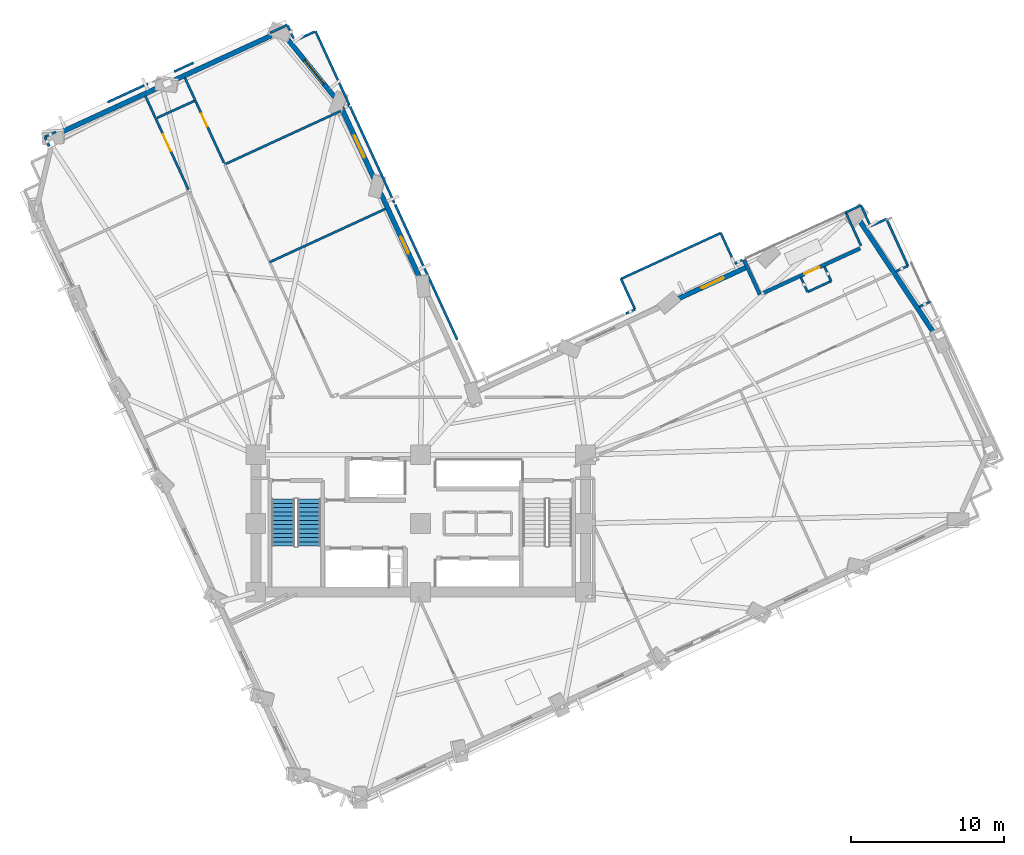
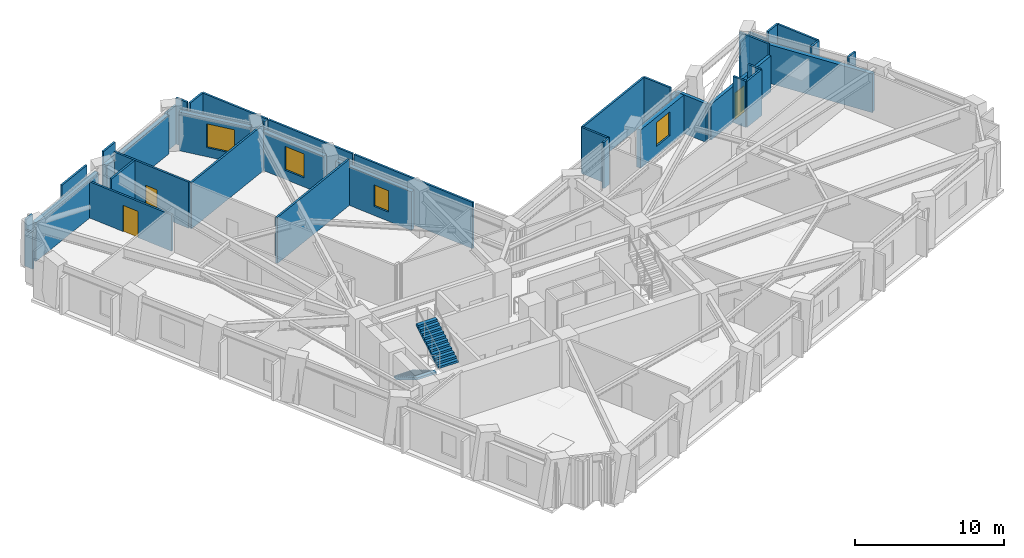
# One storey, part 10 of 16: 40 walls, 4 windows, 3 doors, 2 stair flights, 7 openings, 1 element without a shape of its own.
"""IFC4 building model written with IfcOpenShell, lengths in metres."""

from ifc_helpers import new_model, si_unit, direction, frame, frame_2d, origin, place, context, subcontext, project, spatial, polyline, rectangle, outline, extrude, material, layer, layer_set, type_object, element, fill, aggregate, save


model = new_model("IFC4")

# Units and contexts
model_context = context("Model", 3, precision=1e-05, world=origin(), true_north=direction((0.0, 1.0)))
body_context = subcontext(model_context, "Body", "Model", "MODEL_VIEW")
ifc_project = project(units=[si_unit("LENGTHUNIT", "METRE"), si_unit("AREAUNIT", "SQUARE_METRE"), si_unit("VOLUMEUNIT", "CUBIC_METRE"), si_unit("PLANEANGLEUNIT", "RADIAN"), si_unit("MASSUNIT", "GRAM", prefix="KILO")], contexts=[model_context])

# Site, building, storey
site_placement = place(None, origin())
site = spatial("IfcSite", under=ifc_project, at=site_placement, CompositionType="ELEMENT")
building_placement = place(site_placement, origin())
building = spatial("IfcBuilding", under=site, at=building_placement, Name="Gaonmaruhae Medical Tower", CompositionType="ELEMENT")
storey_placement = place(building_placement, frame((0.0, 0.0, 128.39990234375)))
storey = spatial("IfcBuildingStorey", under=building, at=storey_placement, Name="L30", CompositionType="ELEMENT", Elevation=128.39990234375)

# Wall, opening, door
ifc_material_1 = material(Name="Precast concrete C45/55", Category="concrete")
ifc_layer_1 = layer(ifc_material_1, 0.239990234375)
ifc_layer_set_1 = layer_set([ifc_layer_1], Name="Precast concrete C45/55")
wall_type_1 = type_object("IfcWallType", Name="EW-240 Ribbon & Shelter Insulated Precast Wall", PredefinedType="SOLIDWALL", material=ifc_layer_set_1)
wall_1_placement = place(storey_placement, frame((47.27880859375, 27.4150390625, 0.0), z_axis=(0.0, 0.0, 1.0), x_axis=(0.90849764427, 0.417889973983, 0.0)))
wall_1 = element("IfcWall", 1, at=wall_1_placement, inside=storey, type_object=wall_type_1, Name="L30 Recessed Terrace Enclosure Wall TERB", PredefinedType="SOLIDWALL", context=body_context, shape_type="SweptSolid", body=[
    extrude(rectangle(XDim=6.9599609375, YDim=0.239990234375, at=frame_2d((3.47998046875, 0.0))), origin(), (0.0, 0.0, 1.0), 2.945068359375),
])
opening_1_placement = place(wall_1_placement, frame((2.929931640625, 0.0, 0.0)))
opening_1 = element("IfcOpeningElement", 2, at=opening_1_placement, cuts=wall_1, Name="Opening TD-01", PredefinedType="OPENING", context=body_context, shape_type="SweptSolid", body=[
    extrude(rectangle(XDim=1.10009765625, YDim=2.14990234375, at=frame_2d((0.550048828125, 1.074951171875))), frame((0.0, 0.1298828125, 0.0), z_axis=(0.0, -1.0, 0.0), x_axis=(1.0, 0.0, 0.0)), (0.0, 0.0, 1.0), 0.260009765625),
])
ifc_material_2 = material(Name="Anodised aluminium and toughened safety glass", Category="aluminium")
door_type_1 = type_object("IfcDoorType", Name="TD-01 Terrace & Sky Garden Glazed Door 1100x2150", OperationType="NOTDEFINED", PredefinedType="DOOR", material=ifc_material_2)
door_1_placement = place(opening_1_placement, origin())
door_1 = element("IfcDoor", 3, at=door_1_placement, inside=storey, type_object=door_type_1, Name="L30 Outdoor Terrace Access Door SLB-L30-TER", OperationType="SINGLE_SWING_RIGHT", OverallHeight=2.14990234375, OverallWidth=1.10009765625, PredefinedType="DOOR", context=body_context, shape_type="SweptSolid", body=[
    extrude(rectangle(XDim=1.10009765625, YDim=2.14990234375, at=frame_2d((0.550048828125, 1.074951171875))), frame((0.0, 0.02490234375, 0.0), z_axis=(0.0, -1.0, 0.0), x_axis=(1.0, 0.0, 0.0)), (0.0, 0.0, 1.0), 0.050048828125),
])
fill(opening_1, door_1)

# Walls
wall_2_placement = place(storey_placement, frame((45.979736328125, 29.5693359375, 0.0), z_axis=(0.0, 0.0, 1.0), x_axis=(0.417874979305, -0.908504541359, 0.0)))
element("IfcWall", 4, at=wall_2_placement, inside=storey, type_object=wall_type_1, Name="L30 Recessed Terrace Enclosure Wall TERL", PredefinedType="SOLIDWALL", context=body_context, shape_type="SweptSolid", body=[
    extrude(rectangle(XDim=2.5, YDim=0.239990234375, at=frame_2d((1.25, 0.0))), origin(), (0.0, 0.0, 1.0), 3.1650390625),
])
ifc_layer_2 = layer(ifc_material_1, 0.320068359375)
ifc_layer_set_2 = layer_set([ifc_layer_2], Name="Precast concrete C45/55")
wall_type_2 = type_object("IfcWallType", Name="EW-320 Lower Precast Masonry-Frame Facade Wall", PredefinedType="SOLIDWALL", material=ifc_layer_set_2)
wall_3_placement = place(storey_placement, frame((53.557373046875, 32.14208984375, 0.0), z_axis=(0.0, 0.0, 1.0), x_axis=(0.551777055877, -0.833991654999, 0.0)))
element("IfcWall", 5, at=wall_3_placement, inside=storey, type_object=wall_type_2, Name="L30 Precast Masonry-Frame Wall E02-E03", PredefinedType="SOLIDWALL", context=body_context, shape_type="SweptSolid", body=[
    extrude(rectangle(XDim=8.837646484375, YDim=0.320068359375, at=frame_2d((4.4189453125, 0.0))), origin(), (0.0, 0.0, 1.0), 3.1650390625),
])

# Wall, opening, window
wall_4_placement = place(storey_placement, frame((41.525634765625, 26.95947265625, 0.0), z_axis=(0.0, 0.0, 1.0), x_axis=(0.908514361861, 0.417853627832, 0.0)))
wall_4 = element("IfcWall", 6, at=wall_4_placement, inside=storey, type_object=wall_type_2, Name="L30 Precast Masonry-Frame Wall EN01-EN02", PredefinedType="SOLIDWALL", context=body_context, shape_type="SweptSolid", body=[
    extrude(rectangle(XDim=5.116943359375, YDim=0.320068359375, at=frame_2d((2.55859375, 0.0))), origin(), (0.0, 0.0, 1.0), 3.14501953125),
])
opening_2_placement = place(wall_4_placement, frame((1.834716796875, 0.0, 0.75)))
opening_2 = element("IfcOpeningElement", 7, at=opening_2_placement, cuts=wall_4, Name="Opening WN-01", PredefinedType="OPENING", context=body_context, shape_type="SweptSolid", body=[
    extrude(rectangle(XDim=1.60009765625, YDim=1.949951171875, at=frame_2d((0.800048828125, 0.97509765625))), frame((0.0, 0.169921875, 0.0), z_axis=(0.0, -1.0, 0.0), x_axis=(1.0, 0.0, 0.0)), (0.0, 0.0, 1.0), 0.340087890625),
])
ifc_material_3 = material(Name="Anodised aluminium and Low-E double glazing", Category="aluminium")
window_type_1 = type_object("IfcWindowType", Name="WN-01 Ward Punched Acoustic Window 1600x1950", PartitioningType="SINGLE_PANEL", PredefinedType="WINDOW", material=ifc_material_3)
window_1_placement = place(opening_2_placement, origin())
window_1 = element("IfcWindow", 8, at=window_1_placement, inside=storey, type_object=window_type_1, Name="L30 Modular Facade Window EN01", OverallHeight=1.949951171875, OverallWidth=1.60009765625, PartitioningType="SINGLE_PANEL", PredefinedType="WINDOW", context=body_context, shape_type="SweptSolid", body=[
    extrude(rectangle(XDim=1.60009765625, YDim=1.949951171875, at=frame_2d((0.800048828125, 0.97509765625))), frame((0.0, 0.030029296875, 0.0), z_axis=(0.0, -1.0, 0.0), x_axis=(1.0, 0.0, 0.0)), (0.0, 0.0, 1.0), 0.06005859375),
])
fill(opening_2, window_1)

wall_5_placement = place(storey_placement, frame((22.19140625, 33.929443359375, 0.0), z_axis=(0.0, 0.0, 1.0), x_axis=(0.417833720383, -0.908523517643, 0.0)))
wall_5 = element("IfcWall", 9, at=wall_5_placement, inside=storey, type_object=wall_type_2, Name="L30 Precast Masonry-Frame Wall NE01-NE02", PredefinedType="SOLIDWALL", context=body_context, shape_type="SweptSolid", body=[
    extrude(rectangle(XDim=6.222900390625, YDim=0.320068359375, at=frame_2d((3.111328125, 0.0))), origin(), (0.0, 0.0, 1.0), 3.1650390625),
])
opening_3_placement = place(wall_5_placement, frame((3.141357421875, 0.0, 0.75)))
opening_3 = element("IfcOpeningElement", 10, at=opening_3_placement, cuts=wall_5, Name="Opening WN-05", PredefinedType="OPENING", context=body_context, shape_type="SweptSolid", body=[
    extrude(rectangle(XDim=1.199951171875, YDim=1.75, at=frame_2d((0.60009765625, 0.875))), frame((0.0, 0.169921875, 0.0), z_axis=(0.0, -1.0, 0.0), x_axis=(1.0, 0.0, 0.0)), (0.0, 0.0, 1.0), 0.340087890625),
])
window_type_2 = type_object("IfcWindowType", Name="WN-05 Support & Staff Punched Window 1200x1750", PartitioningType="SINGLE_PANEL", PredefinedType="WINDOW", material=ifc_material_3)
window_2_placement = place(opening_3_placement, origin())
window_2 = element("IfcWindow", 11, at=window_2_placement, inside=storey, type_object=window_type_2, Name="L30 Modular Facade Window NE01", OverallHeight=1.75, OverallWidth=1.199951171875, PartitioningType="SINGLE_PANEL", PredefinedType="WINDOW", context=body_context, shape_type="SweptSolid", body=[
    extrude(rectangle(XDim=1.199951171875, YDim=1.75, at=frame_2d((0.60009765625, 0.875))), frame((0.0, 0.030029296875, 0.0), z_axis=(0.0, -1.0, 0.0), x_axis=(1.0, 0.0, 0.0)), (0.0, 0.0, 1.0), 0.06005859375),
])
fill(opening_3, window_2)

wall_6_placement = place(storey_placement, frame((19.67822265625, 39.39306640625, 0.0), z_axis=(0.0, 0.0, 1.0), x_axis=(0.417876863303, -0.908503674795, 0.0)))
wall_6 = element("IfcWall", 12, at=wall_6_placement, inside=storey, type_object=wall_type_2, Name="L30 Precast Masonry-Frame Wall NE02-NE03", PredefinedType="SOLIDWALL", context=body_context, shape_type="SweptSolid", body=[
    extrude(rectangle(XDim=5.04736328125, YDim=0.320068359375, at=frame_2d((2.523681640625, 0.0))), origin(), (0.0, 0.0, 1.0), 3.1650390625),
])
opening_4_placement = place(wall_6_placement, frame((1.8330078125, 0.0, 0.75)))
opening_4 = element("IfcOpeningElement", 13, at=opening_4_placement, cuts=wall_6, Name="Opening WN-01", PredefinedType="OPENING", context=body_context, shape_type="SweptSolid", body=[
    extrude(rectangle(XDim=1.60009765625, YDim=1.949951171875, at=frame_2d((0.800048828125, 0.97509765625))), frame((0.0, 0.169921875, 0.0), z_axis=(0.0, -1.0, 0.0), x_axis=(1.0, 0.0, 0.0)), (0.0, 0.0, 1.0), 0.340087890625),
])
window_3_placement = place(opening_4_placement, origin())
window_3 = element("IfcWindow", 14, at=window_3_placement, inside=storey, type_object=window_type_1, Name="L30 Modular Facade Window NE02", OverallHeight=1.949951171875, OverallWidth=1.60009765625, PartitioningType="SINGLE_PANEL", PredefinedType="WINDOW", context=body_context, shape_type="SweptSolid", body=[
    extrude(rectangle(XDim=1.60009765625, YDim=1.949951171875, at=frame_2d((0.800048828125, 0.97509765625))), frame((0.0, 0.030029296875, 0.0), z_axis=(0.0, -1.0, 0.0), x_axis=(1.0, 0.0, 0.0)), (0.0, 0.0, 1.0), 0.06005859375),
])
fill(opening_4, window_3)

wall_7_placement = place(storey_placement, frame((15.94091796875, 44.201904296875, 0.0), z_axis=(0.0, 0.0, 1.0), x_axis=(0.63040801919, -0.776263955972, 0.0)))
wall_7 = element("IfcWall", 15, at=wall_7_placement, inside=storey, type_object=wall_type_2, Name="L30 Precast Masonry-Frame Wall NE03-N01", PredefinedType="SOLIDWALL", context=body_context, shape_type="SweptSolid", body=[
    extrude(rectangle(XDim=5.128662109375, YDim=0.320068359375, at=frame_2d((2.564453125, 0.0))), origin(), (0.0, 0.0, 1.0), 3.1650390625),
])
opening_5_placement = place(wall_7_placement, frame((1.993408203125, 0.0, 0.75)))
opening_5 = element("IfcOpeningElement", 16, at=opening_5_placement, cuts=wall_7, Name="Opening WN-02", PredefinedType="OPENING", context=body_context, shape_type="SweptSolid", body=[
    extrude(rectangle(XDim=2.0, YDim=1.949951171875, at=frame_2d((1.0, 0.97509765625))), frame((0.0, 0.169921875, 0.0), z_axis=(0.0, -1.0, 0.0), x_axis=(1.0, 0.0, 0.0)), (0.0, 0.0, 1.0), 0.340087890625),
])
window_type_3 = type_object("IfcWindowType", Name="WN-02 Double-Bed Ward Punched Window 2000x1950", PartitioningType="SINGLE_PANEL", PredefinedType="WINDOW", material=ifc_material_3)
window_4_placement = place(opening_5_placement, origin())
window_4 = element("IfcWindow", 17, at=window_4_placement, inside=storey, type_object=window_type_3, Name="L30 Modular Facade Window NE03", OverallHeight=1.949951171875, OverallWidth=2.0, PartitioningType="SINGLE_PANEL", PredefinedType="WINDOW", context=body_context, shape_type="SweptSolid", body=[
    extrude(rectangle(XDim=2.0, YDim=1.949951171875, at=frame_2d((1.0, 0.97509765625))), frame((0.0, 0.030029296875, 0.0), z_axis=(0.0, -1.0, 0.0), x_axis=(1.0, 0.0, 0.0)), (0.0, 0.0, 1.0), 0.06005859375),
])
fill(opening_5, window_4)

# Walls
wall_8_placement = place(storey_placement, frame((8.44482421875, 41.242919921875, 0.0), z_axis=(0.0, 0.0, 1.0), x_axis=(0.908511987078, 0.417858791143, 0.0)))
element("IfcWall", 18, at=wall_8_placement, inside=storey, type_object=wall_type_2, Name="L30 Precast Masonry-Frame Wall N01-N02", PredefinedType="SOLIDWALL", context=body_context, shape_type="SweptSolid", body=[
    extrude(rectangle(XDim=7.23095703125, YDim=0.320068359375, at=frame_2d((3.615478515625, 0.0))), origin(), (0.0, 0.0, 1.0), 3.1650390625),
])
wall_9_placement = place(storey_placement, frame((0.972900390625, 37.80615234375, 0.0), z_axis=(0.0, 0.0, 1.0), x_axis=(0.908513910625, 0.417854608927, 0.0)))
element("IfcWall", 19, at=wall_9_placement, inside=storey, type_object=wall_type_2, Name="L30 Precast Masonry-Frame Wall N02-N03", PredefinedType="SOLIDWALL", context=body_context, shape_type="SweptSolid", body=[
    extrude(rectangle(XDim=7.27001953125, YDim=0.320068359375, at=frame_2d((3.635009765625, 0.0))), origin(), (0.0, 0.0, 1.0), 3.1650390625),
])
ifc_material_4 = material(Name="Gypsum board partition", Category="gypsum")
ifc_layer_3 = layer(ifc_material_4, 0.14990234375)
ifc_layer_set_3 = layer_set([ifc_layer_3], Name="Gypsum board partition")
wall_type_3 = type_object("IfcWallType", Name="PW-150 Rated Clinical Corridor Partition", PredefinedType="PARTITIONING", material=ifc_layer_set_3)
wall_10_placement = place(storey_placement, frame((0.462890625, 37.01904296875, 0.0), z_axis=(0.0, 0.0, 1.0), x_axis=(-0.418481684179, 0.908225236385, 0.0)))
element("IfcWall", 20, at=wall_10_placement, inside=storey, type_object=wall_type_3, Name="L30 Interior Partition L30-WOF07-52", PredefinedType="PARTITIONING", context=body_context, shape_type="SweptSolid", body=[
    extrude(rectangle(XDim=0.67138671875, YDim=0.14990234375, at=frame_2d((0.335693359375, 0.0))), origin(), (0.0, 0.0, 1.0), 2.965087890625),
])
wall_11_placement = place(storey_placement, frame((0.181884765625, 37.62890625, 0.0), z_axis=(0.0, 0.0, 1.0), x_axis=(0.908607354341, 0.417651380504, 0.0)))
element("IfcWall", 21, at=wall_11_placement, inside=storey, type_object=wall_type_3, Name="L30 Interior Partition L30-WOF07-53", PredefinedType="PARTITIONING", context=body_context, shape_type="SweptSolid", body=[
    extrude(rectangle(XDim=0.792724609375, YDim=0.14990234375, at=frame_2d((0.396484375, 0.0))), origin(), (0.0, 0.0, 1.0), 3.780029296875),
])

# Wall, opening, door
wall_12_placement = place(storey_placement, frame((6.759033203125, 40.319091796875, 0.0), z_axis=(0.0, 0.0, 1.0), x_axis=(0.417891290431, -0.908497038731, 0.0)))
wall_12 = element("IfcWall", 22, at=wall_12_placement, inside=storey, type_object=wall_type_3, Name="L30 Interior Partition L30-WOF07-54", PredefinedType="PARTITIONING", context=body_context, shape_type="SweptSolid", body=[
    extrude(rectangle(XDim=6.75537109375, YDim=0.14990234375, at=frame_2d((3.377685546875, 0.0))), origin(), (0.0, 0.0, 1.0), 2.965087890625),
])
opening_6_placement = place(wall_12_placement, frame((2.777587890625, 0.0, 0.0)))
opening_6 = element("IfcOpeningElement", 23, at=opening_6_placement, cuts=wall_12, Name="Opening CD-02", PredefinedType="OPENING", context=body_context, shape_type="SweptSolid", body=[
    extrude(rectangle(XDim=1.199951171875, YDim=2.14990234375, at=frame_2d((0.60009765625, 1.074951171875))), frame((0.0, 0.0849609375, 0.0), z_axis=(0.0, -1.0, 0.0), x_axis=(1.0, 0.0, 0.0)), (0.0, 0.0, 1.0), 0.169921875),
])
ifc_material_5 = material(Name="Antimicrobial laminate timber fire door", Category="wood")
door_type_2 = type_object("IfcDoorType", Name="CD-02 Clinical Treatment & Procedure Door 1200x2150", OperationType="NOTDEFINED", PredefinedType="DOOR", material=ifc_material_5)
door_2_placement = place(opening_6_placement, origin())
door_2 = element("IfcDoor", 24, at=door_2_placement, inside=storey, type_object=door_type_2, Name="L30 Ward Physician Reporting Office Door", OperationType="SINGLE_SWING_RIGHT", OverallHeight=2.14990234375, OverallWidth=1.199951171875, PredefinedType="DOOR", context=body_context, shape_type="SweptSolid", body=[
    extrude(rectangle(XDim=1.199951171875, YDim=2.14990234375, at=frame_2d((0.60009765625, 1.074951171875))), frame((0.0, 0.02490234375, 0.0), z_axis=(0.0, -1.0, 0.0), x_axis=(1.0, 0.0, 0.0)), (0.0, 0.0, 1.0), 0.050048828125),
])
fill(opening_6, door_2)

# Walls
wall_13_placement = place(storey_placement, frame((44.4619140625, 31.3369140625, 0.0), z_axis=(0.0, 0.0, 1.0), x_axis=(0.417770061302, -0.908552792016, 0.0)))
element("IfcWall", 25, at=wall_13_placement, inside=storey, type_object=wall_type_3, Name="L30 Interior Partition L30-IE02-67", PredefinedType="PARTITIONING", context=body_context, shape_type="SweptSolid", body=[
    extrude(rectangle(XDim=2.2001953125, YDim=0.14990234375, at=frame_2d((1.10009765625, 0.0))), origin(), (0.0, 0.0, 1.0), 3.780029296875),
])
wall_14_placement = place(storey_placement, frame((45.381103515625, 29.337890625, 0.0), z_axis=(0.0, 0.0, 1.0), x_axis=(0.908229655167, 0.418472094023, 0.0)))
element("IfcWall", 26, at=wall_14_placement, inside=storey, type_object=wall_type_3, Name="L30 Interior Partition L30-IE02-68", PredefinedType="PARTITIONING", context=body_context, shape_type="SweptSolid", body=[
    extrude(rectangle(XDim=0.554931640625, YDim=0.14990234375, at=frame_2d((0.27734375, 0.0))), origin(), (0.0, 0.0, 1.0), 3.14501953125),
])
wall_15_placement = place(storey_placement, frame((49.7080078125, 28.427978515625, 0.0), z_axis=(0.0, 0.0, 1.0), x_axis=(0.417737601107, -0.908567717136, 0.0)))
element("IfcWall", 27, at=wall_15_placement, inside=storey, type_object=wall_type_3, Name="L30 Interior Partition L30-IE02-69", PredefinedType="PARTITIONING", context=body_context, shape_type="SweptSolid", body=[
    extrude(rectangle(XDim=1.055419921875, YDim=0.14990234375, at=frame_2d((0.52783203125, 0.0))), origin(), (0.0, 0.0, 1.0), 3.780029296875),
])
wall_16_placement = place(storey_placement, frame((50.14892578125, 27.468994140625, 0.0), z_axis=(0.0, 0.0, 1.0), x_axis=(0.908354092622, 0.418201915845, 0.0)))
element("IfcWall", 28, at=wall_16_placement, inside=storey, type_object=wall_type_3, Name="L30 Interior Partition L30-IE02-70", PredefinedType="PARTITIONING", context=body_context, shape_type="SweptSolid", body=[
    extrude(rectangle(XDim=1.699951171875, YDim=0.14990234375, at=frame_2d((0.85009765625, 0.0))), origin(), (0.0, 0.0, 1.0), 3.780029296875),
])
wall_17_placement = place(storey_placement, frame((51.693115234375, 28.179931640625, 0.0), z_axis=(0.0, 0.0, 1.0), x_axis=(-0.418280033039, 0.908318123766, 0.0)))
element("IfcWall", 29, at=wall_17_placement, inside=storey, type_object=wall_type_3, Name="L30 Interior Partition L30-IE02-71", PredefinedType="PARTITIONING", context=body_context, shape_type="SweptSolid", body=[
    extrude(rectangle(XDim=1.0546875, YDim=0.14990234375, at=frame_2d((0.52734375, 0.0))), origin(), (0.0, 0.0, 1.0), 3.780029296875),
])
wall_18_placement = place(storey_placement, frame((53.652099609375, 30.5009765625, 0.0), z_axis=(0.0, 0.0, 1.0), x_axis=(-0.417709073664, 0.908580832826, 0.0)))
element("IfcWall", 30, at=wall_18_placement, inside=storey, type_object=wall_type_3, Name="L30 Interior Partition L30-IE02-72", PredefinedType="PARTITIONING", context=body_context, shape_type="SweptSolid", body=[
    extrude(rectangle(XDim=2.399169921875, YDim=0.14990234375, at=frame_2d((1.19970703125, 0.0))), origin(), (0.0, 0.0, 1.0), 3.780029296875),
])
wall_19_placement = place(storey_placement, frame((52.64990234375, 32.680908203125, 0.0), z_axis=(0.0, 0.0, 1.0), x_axis=(0.908264475231, 0.418396514127, 0.0)))
element("IfcWall", 31, at=wall_19_placement, inside=storey, type_object=wall_type_3, Name="L30 Interior Partition L30-IE02-73", PredefinedType="PARTITIONING", context=body_context, shape_type="SweptSolid", body=[
    extrude(rectangle(XDim=1.099853515625, YDim=0.14990234375, at=frame_2d((0.5498046875, 0.0))), origin(), (0.0, 0.0, 1.0), 2.945068359375),
])
wall_20_placement = place(storey_placement, frame((53.64892578125, 33.14111328125, 0.0), z_axis=(0.0, 0.0, 1.0), x_axis=(0.417881432816, -0.90850157298, 0.0)))
element("IfcWall", 32, at=wall_20_placement, inside=storey, type_object=wall_type_3, Name="L30 Interior Partition L30-IE02-74", PredefinedType="PARTITIONING", context=body_context, shape_type="SweptSolid", body=[
    extrude(rectangle(XDim=1.500244140625, YDim=0.14990234375, at=frame_2d((0.75, 0.0))), origin(), (0.0, 0.0, 1.0), 3.1650390625),
])
wall_21_placement = place(storey_placement, frame((54.27587890625, 31.778076171875, 0.0), z_axis=(0.0, 0.0, 1.0), x_axis=(0.908278877816, 0.418365247258, 0.0)))
element("IfcWall", 33, at=wall_21_placement, inside=storey, type_object=wall_type_3, Name="L30 Interior Partition L30-IE02-75", PredefinedType="PARTITIONING", context=body_context, shape_type="SweptSolid", body=[
    extrude(rectangle(XDim=1.1396484375, YDim=0.14990234375, at=frame_2d((0.56982421875, 0.0))), origin(), (0.0, 0.0, 1.0), 3.780029296875),
])
wall_22_placement = place(storey_placement, frame((55.31103515625, 32.2548828125, 0.0), z_axis=(0.0, 0.0, 1.0), x_axis=(0.41797098824, -0.908460375025, 0.0)))
element("IfcWall", 34, at=wall_22_placement, inside=storey, type_object=wall_type_3, Name="L30 Interior Partition L30-IE02-76", PredefinedType="PARTITIONING", context=body_context, shape_type="SweptSolid", body=[
    extrude(rectangle(XDim=3.39013671875, YDim=0.14990234375, at=frame_2d((1.695068359375, 0.0))), origin(), (0.0, 0.0, 1.0), 3.780029296875),
])
wall_23_placement = place(storey_placement, frame((56.72802734375, 29.175048828125, 0.0), z_axis=(0.0, 0.0, 1.0), x_axis=(-0.908395940536, -0.418111008247, 0.0)))
element("IfcWall", 35, at=wall_23_placement, inside=storey, type_object=wall_type_3, Name="L30 Interior Partition L30-IE02-77", PredefinedType="PARTITIONING", context=body_context, shape_type="SweptSolid", body=[
    extrude(rectangle(XDim=0.8828125, YDim=0.14990234375, at=frame_2d((0.44140625, 0.0))), origin(), (0.0, 0.0, 1.0), 3.780029296875),
])
wall_24_placement = place(storey_placement, frame((38.243896484375, 26.055908203125, 0.0), z_axis=(0.0, 0.0, 1.0), x_axis=(0.908535648033, 0.417807343465, 0.0)))
element("IfcWall", 36, at=wall_24_placement, inside=storey, type_object=wall_type_3, Name="L30 Interior Partition L30-IE02-79", PredefinedType="PARTITIONING", context=body_context, shape_type="SweptSolid", body=[
    extrude(rectangle(XDim=0.65625, YDim=0.14990234375, at=frame_2d((0.328125, 0.0))), origin(), (0.0, 0.0, 1.0), 3.780029296875),
])
wall_25_placement = place(storey_placement, frame((38.840087890625, 26.330078125, 0.0), z_axis=(0.0, 0.0, 1.0), x_axis=(-0.417980742424, 0.908455887186, 0.0)))
element("IfcWall", 37, at=wall_25_placement, inside=storey, type_object=wall_type_3, Name="L30 Interior Partition L30-IE02-80", PredefinedType="PARTITIONING", context=body_context, shape_type="SweptSolid", body=[
    extrude(rectangle(XDim=2.19921875, YDim=0.14990234375, at=frame_2d((1.099609375, 0.0))), origin(), (0.0, 0.0, 1.0), 3.780029296875),
])
wall_26_placement = place(storey_placement, frame((37.9208984375, 28.327880859375, 0.0), z_axis=(0.0, 0.0, 1.0), x_axis=(0.908481698238, 0.4179246391, 0.0)))
element("IfcWall", 38, at=wall_26_placement, inside=storey, type_object=wall_type_3, Name="L30 Interior Partition L30-IE02-81", PredefinedType="PARTITIONING", context=body_context, shape_type="SweptSolid", body=[
    extrude(rectangle(XDim=7.199951171875, YDim=0.14990234375, at=frame_2d((3.60009765625, 0.0))), origin(), (0.0, 0.0, 1.0), 3.780029296875),
])
wall_27_placement = place(storey_placement, frame((14.907958984375, 29.422119140625, 0.0), z_axis=(0.0, 0.0, 1.0), x_axis=(0.908499316562, 0.417886338383, 0.0)))
element("IfcWall", 39, at=wall_27_placement, inside=storey, type_object=wall_type_3, Name="L30 Interior Partition L30-IN01-84", PredefinedType="PARTITIONING", context=body_context, shape_type="SweptSolid", body=[
    extrude(rectangle(XDim=8.365478515625, YDim=0.14990234375, at=frame_2d((4.1826171875, 0.0))), origin(), (0.0, 0.0, 1.0), 3.780029296875),
])
wall_28_placement = place(storey_placement, frame((23.1298828125, 33.2041015625, 0.0), z_axis=(0.0, 0.0, 1.0), x_axis=(0.417943219407, -0.908473150595, 0.0)))
element("IfcWall", 40, at=wall_28_placement, inside=storey, type_object=wall_type_3, Name="L30 Interior Partition L30-IN01-85", PredefinedType="PARTITIONING", context=body_context, shape_type="SweptSolid", body=[
    extrude(rectangle(XDim=9.75048828125, YDim=0.14990234375, at=frame_2d((4.875244140625, 0.0))), origin(), (0.0, 0.0, 1.0), 3.780029296875),
])
wall_29_placement = place(storey_placement, frame((11.9619140625, 35.826904296875, 0.0), z_axis=(0.0, 0.0, 1.0), x_axis=(0.908488236671, 0.417910425606, 0.0)))
element("IfcWall", 41, at=wall_29_placement, inside=storey, type_object=wall_type_3, Name="L30 Interior Partition L30-IN02-87", PredefinedType="PARTITIONING", context=body_context, shape_type="SweptSolid", body=[
    extrude(rectangle(XDim=8.36572265625, YDim=0.14990234375, at=frame_2d((4.182861328125, 0.0))), origin(), (0.0, 0.0, 1.0), 3.780029296875),
])
wall_30_placement = place(storey_placement, frame((20.18408203125, 39.60888671875, 0.0), z_axis=(0.0, 0.0, 1.0), x_axis=(0.417891651322, -0.908496872727, 0.0)))
element("IfcWall", 42, at=wall_30_placement, inside=storey, type_object=wall_type_3, Name="L30 Interior Partition L30-IN02-88", PredefinedType="PARTITIONING", context=body_context, shape_type="SweptSolid", body=[
    extrude(rectangle(XDim=6.929931640625, YDim=0.14990234375, at=frame_2d((3.46484375, 0.0))), origin(), (0.0, 0.0, 1.0), 3.780029296875),
])
wall_31_placement = place(storey_placement, frame((17.910888671875, 44.551025390625, 0.0), z_axis=(0.0, 0.0, 1.0), x_axis=(0.417899547771, -0.908493240466, 0.0)))
element("IfcWall", 43, at=wall_31_placement, inside=storey, type_object=wall_type_3, Name="L30 Interior Partition L30-IN03-89", PredefinedType="PARTITIONING", context=body_context, shape_type="SweptSolid", body=[
    extrude(rectangle(XDim=5.31982421875, YDim=0.14990234375, at=frame_2d((2.659912109375, 0.0))), origin(), (0.0, 0.0, 1.0), 3.780029296875),
])
wall_32_placement = place(storey_placement, frame((20.089111328125, 39.697021484375, 0.0), z_axis=(0.0, 0.0, 1.0), x_axis=(-0.908869760295, -0.417080038867, 0.0)))
element("IfcWall", 44, at=wall_32_placement, inside=storey, type_object=wall_type_3, Name="L30 Interior Partition L30-IN03-90", PredefinedType="PARTITIONING", context=body_context, shape_type="SweptSolid", body=[
    extrude(rectangle(XDim=0.4150390625, YDim=0.14990234375, at=frame_2d((0.20751953125, 0.0))), origin(), (0.0, 0.0, 1.0), 3.780029296875),
])

# Wall, opening, door
wall_33_placement = place(storey_placement, frame((11.912109375, 35.93603515625, 0.0), z_axis=(0.0, 0.0, 1.0), x_axis=(-0.417765684328, 0.90855480462, 0.0)))
wall_33 = element("IfcWall", 45, at=wall_33_placement, inside=storey, type_object=wall_type_3, Name="L30 Interior Partition L30-IN03-91", PredefinedType="PARTITIONING", context=body_context, shape_type="SweptSolid", body=[
    extrude(rectangle(XDim=6.135009765625, YDim=0.14990234375, at=frame_2d((3.0673828125, 0.0))), origin(), (0.0, 0.0, 1.0), 3.780029296875),
])
opening_7_placement = place(wall_33_placement, frame((2.607421875, 0.0, 0.0)))
opening_7 = element("IfcOpeningElement", 46, at=opening_7_placement, cuts=wall_33, Name="Opening UD-01", PredefinedType="OPENING", context=body_context, shape_type="SweptSolid", body=[
    extrude(rectangle(XDim=0.919921875, YDim=2.10009765625, at=frame_2d((0.4599609375, 1.050048828125))), frame((0.0, 0.0849609375, 0.0), z_axis=(0.0, -1.0, 0.0), x_axis=(1.0, 0.0, 0.0)), (0.0, 0.0, 1.0), 0.169921875),
])
ifc_material_6 = material(Name="Powder-coated steel utility door", Category="steel")
door_type_3 = type_object("IfcDoorType", Name="UD-01 Toilet, Utility & Housekeeping Door 920x2100", OperationType="NOTDEFINED", PredefinedType="DOOR", material=ifc_material_6)
door_3_placement = place(opening_7_placement, origin())
door_3 = element("IfcDoor", 47, at=door_3_placement, inside=storey, type_object=door_type_3, Name="L30 Public Visitor Toilet Door", OperationType="SINGLE_SWING_LEFT", OverallHeight=2.10009765625, OverallWidth=0.919921875, PredefinedType="DOOR", context=body_context, shape_type="SweptSolid", body=[
    extrude(rectangle(XDim=0.919921875, YDim=2.10009765625, at=frame_2d((0.4599609375, 1.050048828125))), frame((0.0, 0.02490234375, 0.0), z_axis=(0.0, -1.0, 0.0), x_axis=(1.0, 0.0, 0.0)), (0.0, 0.0, 1.0), 0.050048828125),
])
fill(opening_7, door_3)

# Walls
wall_34_placement = place(storey_placement, frame((14.93505859375, 44.43701171875, 0.0), z_axis=(0.0, 0.0, 1.0), x_axis=(0.908506746568, 0.417870184915, 0.0)))
element("IfcWall", 48, at=wall_34_placement, inside=storey, type_object=wall_type_3, Name="L30 Interior Partition L30-IN03-92", PredefinedType="PARTITIONING", context=body_context, shape_type="SweptSolid", body=[
    extrude(rectangle(XDim=1.25146484375, YDim=0.14990234375, at=frame_2d((0.625732421875, 0.0))), origin(), (0.0, 0.0, 1.0), 3.1650390625),
])
wall_35_placement = place(storey_placement, frame((16.093017578125, 44.9150390625, 0.0), z_axis=(0.0, 0.0, 1.0), x_axis=(0.416838598476, -0.908980518394, 0.0)))
element("IfcWall", 49, at=wall_35_placement, inside=storey, type_object=wall_type_3, Name="L30 Interior Partition L30-IN03-93", PredefinedType="PARTITIONING", context=body_context, shape_type="SweptSolid", body=[
    extrude(rectangle(XDim=0.914306640625, YDim=0.14990234375, at=frame_2d((0.45703125, 0.0))), origin(), (0.0, 0.0, 1.0), 3.780029296875),
])
wall_36_placement = place(storey_placement, frame((16.548095703125, 43.924072265625, 0.0), z_axis=(0.0, 0.0, 1.0), x_axis=(0.908559455179, 0.417755570166, 0.0)))
element("IfcWall", 50, at=wall_36_placement, inside=storey, type_object=wall_type_3, Name="L30 Interior Partition L30-IN03-94", PredefinedType="PARTITIONING", context=body_context, shape_type="SweptSolid", body=[
    extrude(rectangle(XDim=1.450439453125, YDim=0.14990234375, at=frame_2d((0.72509765625, 0.0))), origin(), (0.0, 0.0, 1.0), 3.780029296875),
])
wall_37_placement = place(storey_placement, frame((9.968994140625, 39.98095703125, 0.0), z_axis=(0.0, 0.0, 1.0), x_axis=(-0.910553896639, -0.413390374, 0.0)))
element("IfcWall", 51, at=wall_37_placement, inside=storey, type_object=wall_type_3, Name="L30 Interior Partition L30-RM01-95", PredefinedType="PARTITIONING", context=body_context, shape_type="SweptSolid", body=[
    extrude(rectangle(XDim=2.67529296875, YDim=0.14990234375, at=frame_2d((1.337646484375, 0.0))), origin(), (0.0, 0.0, 1.0), 3.780029296875),
])
wall_38_placement = place(storey_placement, frame((4.287109375, 39.903076171875, 0.0), z_axis=(0.0, 0.0, 1.0), x_axis=(0.908474520638, 0.417940241365, 0.0)))
element("IfcWall", 52, at=wall_38_placement, inside=storey, type_object=wall_type_3, Name="L30 Interior Partition L30-RM01-96", PredefinedType="PARTITIONING", context=body_context, shape_type="SweptSolid", body=[
    extrude(rectangle(XDim=2.9091796875, YDim=0.14990234375, at=frame_2d((1.45458984375, 0.0))), origin(), (0.0, 0.0, 1.0), 3.780029296875),
])
wall_39_placement = place(storey_placement, frame((8.656982421875, 41.9130859375, 0.0), z_axis=(0.0, 0.0, 1.0), x_axis=(0.908729447194, 0.417385663149, 0.0)))
element("IfcWall", 53, at=wall_39_placement, inside=storey, type_object=wall_type_3, Name="L30 Interior Partition L30-RM01-97", PredefinedType="PARTITIONING", context=body_context, shape_type="SweptSolid", body=[
    extrude(rectangle(XDim=1.3798828125, YDim=0.14990234375, at=frame_2d((0.68994140625, 0.0))), origin(), (0.0, 0.0, 1.0), 3.780029296875),
])
wall_40_placement = place(storey_placement, frame((57.4560546875, 26.493896484375, 0.0), z_axis=(0.0, 0.0, 1.0), x_axis=(0.908560629295, 0.41775301662, 0.0)))
element("IfcWall", 54, at=wall_40_placement, inside=storey, type_object=wall_type_3, Name="L30 Interior Partition L30-RM02-100", PredefinedType="PARTITIONING", context=body_context, shape_type="SweptSolid", body=[
    extrude(rectangle(XDim=0.81884765625, YDim=0.14990234375, at=frame_2d((0.409423828125, 0.0))), origin(), (0.0, 0.0, 1.0), 3.780029296875),
])

# Stair, stair flights
ifc_material_7 = material(Name="Concrete C40/50", Category="concrete")
stair_type = type_object("IfcStairType", Name="ST-T1 Primary Core Escape Dogleg Stair", PredefinedType="TWO_QUARTER_TURN_STAIR", material=ifc_material_7)
stair_placement = place(storey_placement, origin())
stair = element("IfcStair", 55, at=stair_placement, inside=storey, type_object=stair_type, Name="L30 Protected Escape Stair ST-01", PredefinedType="TWO_QUARTER_TURN_STAIR")
stair_flight_type = type_object("IfcStairFlightType", Name="SF-T1 Primary Core Precast Stair Flight", PredefinedType="STRAIGHT", material=ifc_material_7)
stair_flight_1_placement = place(storey_placement, frame((15.800048828125, 13.89990234375, 0.0), z_axis=(0.0, 0.0, 1.0), x_axis=(0.0, -1.0, 0.0)))
stair_flight_1 = element("IfcStairFlight", 56, at=stair_flight_1_placement, type_object=stair_flight_type, Name="ST-01 flight 1", NumberOfRisers=12, NumberOfTreads=11, PredefinedType="STRAIGHT", RiserHeight=0.166666667, TreadLength=0.28, context=body_context, shape_type="SweptSolid", body=[
    extrude(outline(polyline([(0.0, 0.0), (0.0, 0.166748046875), (0.280029296875, 0.166748046875), (0.280029296875, 0.333251953125), (0.56005859375, 0.333251953125), (0.56005859375, 0.5), (0.840087890625, 0.5), (0.840087890625, 0.666748046875), (1.1201171875, 0.666748046875), (1.1201171875, 0.833251953125), (1.39990234375, 0.833251953125), (1.39990234375, 1.0), (1.679931640625, 1.0), (1.679931640625, 1.166748046875), (1.9599609375, 1.166748046875), (1.9599609375, 1.333251953125), (2.239990234375, 1.333251953125), (2.239990234375, 1.5), (2.52001953125, 1.5), (2.52001953125, 1.666748046875), (2.800048828125, 1.666748046875), (2.800048828125, 1.833251953125), (3.080078125, 1.833251953125), (3.080078125, 2.0), (3.080078125, 1.658935546875), (0.29296875, 0.0), (0.0, 0.0)])), frame((0.0, 0.75, 0.0), z_axis=(0.0, -1.0, 0.0), x_axis=(1.0, 0.0, 0.0)), (0.0, 0.0, 1.0), 1.5),
])
stair_flight_2_placement = place(storey_placement, frame((17.5, 10.820068359375, 2.0), z_axis=(0.0, 0.0, 1.0), x_axis=(0.0, 1.0, 0.0)))
stair_flight_2 = element("IfcStairFlight", 57, at=stair_flight_2_placement, type_object=stair_flight_type, Name="ST-01 flight 2", NumberOfRisers=12, NumberOfTreads=11, PredefinedType="STRAIGHT", RiserHeight=0.166666667, TreadLength=0.28, context=body_context, shape_type="SweptSolid", body=[
    extrude(outline(polyline([(0.0, 0.0), (0.0, 0.166748046875), (0.280029296875, 0.166748046875), (0.280029296875, 0.333251953125), (0.56005859375, 0.333251953125), (0.56005859375, 0.5), (0.840087890625, 0.5), (0.840087890625, 0.666748046875), (1.1201171875, 0.666748046875), (1.1201171875, 0.833251953125), (1.39990234375, 0.833251953125), (1.39990234375, 1.0), (1.679931640625, 1.0), (1.679931640625, 1.166748046875), (1.9599609375, 1.166748046875), (1.9599609375, 1.333251953125), (2.239990234375, 1.333251953125), (2.239990234375, 1.5), (2.52001953125, 1.5), (2.52001953125, 1.666748046875), (2.800048828125, 1.666748046875), (2.800048828125, 1.833251953125), (3.080078125, 1.833251953125), (3.080078125, 2.0), (3.080078125, 1.658935546875), (0.29296875, 0.0), (0.0, 0.0)])), frame((0.0, 0.75, 0.0), z_axis=(0.0, -1.0, 0.0), x_axis=(1.0, 0.0, 0.0)), (0.0, 0.0, 1.0), 1.5),
])
aggregate(stair, [stair_flight_1, stair_flight_2])

save(model, "model.ifc")
